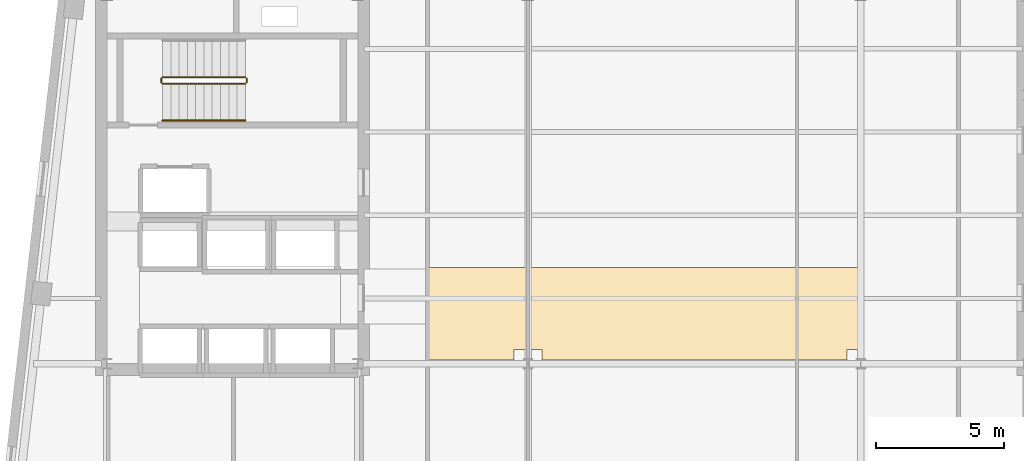
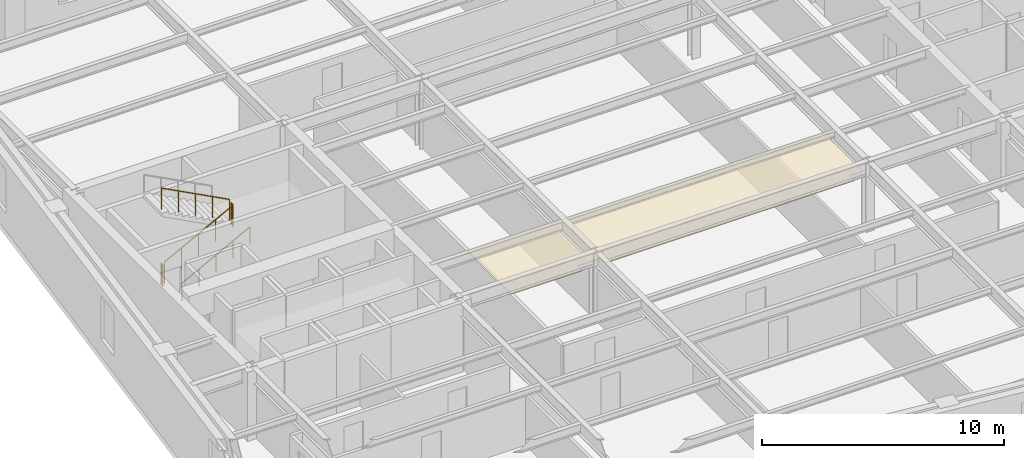
# One storey, part 10 of 12: 5 railings, 1 covering.
"""IFC4 building model written with IfcOpenShell, lengths in metres."""

from ifc_helpers import new_model, si_unit, direction, frame, origin, origin_2d, place, context, subcontext, project, spatial, polyline, circle, outline, extrude, material, layer, layer_set, type_object, element, save


model = new_model("IFC4")

# Units and contexts
model_context = context("Model", 3, precision=1e-05, world=origin(), true_north=direction((0.0, 1.0)))
body_context = subcontext(model_context, "Body", "Model", "MODEL_VIEW")
ifc_project = project(units=[si_unit("LENGTHUNIT", "METRE"), si_unit("AREAUNIT", "SQUARE_METRE"), si_unit("VOLUMEUNIT", "CUBIC_METRE"), si_unit("PLANEANGLEUNIT", "RADIAN"), si_unit("MASSUNIT", "GRAM", prefix="KILO")], contexts=[model_context])

# Site, building, storey
site_placement = place(None, origin())
site = spatial("IfcSite", under=ifc_project, at=site_placement, CompositionType="ELEMENT")
building_placement = place(site_placement, origin())
building = spatial("IfcBuilding", under=site, at=building_placement, Name="Kolvaren Arena Tower", CompositionType="ELEMENT")
storey_placement = place(building_placement, frame((0.0, 0.0, 220.949951171875)))
storey = spatial("IfcBuildingStorey", under=building, at=storey_placement, Name="L53", CompositionType="ELEMENT", Elevation=220.949951171875)

# Covering
ifc_material_1 = material(Name="Mineral fibre acoustic ceiling tile", Category="gypsum")
ifc_layer = layer(ifc_material_1, 0.02490234375)
ifc_layer_set = layer_set([ifc_layer], Name="Mineral fibre acoustic ceiling tile")
covering_type = type_object("IfcCoveringType", Name="CEIL-ACT-1", PredefinedType="CEILING", material=ifc_layer_set)
covering_placement = place(storey_placement, frame((0.0, 0.0, 2.52001953125)))
element("IfcCovering", 1, at=covering_placement, inside=storey, type_object=covering_type, Name="Suspended Ceiling (L53)", PredefinedType="CEILING", context=body_context, shape_type="SweptSolid", body=[
    extrude(outline(polyline([(27.050048828125, 19.60009765625), (27.050048828125, 23.199951171875), (44.10009765625, 23.199951171875), (44.10009765625, 20.0), (43.449951171875, 20.0), (43.449951171875, 19.60009765625), (31.550048828125, 19.60009765625), (31.550048828125, 20.0), (30.449951171875, 20.0), (30.449951171875, 19.60009765625), (27.050048828125, 19.60009765625)])), origin(), (0.0, 0.0, 1.0), 0.025146484375),
])

# Railings
ifc_material_2 = material(Name="Painted galvanized steel", Category="steel")
railing_type_1 = type_object("IfcRailingType", Name="GUARD-ST-110", PredefinedType="GUARDRAIL", material=ifc_material_2)
railing_1_placement = place(storey_placement, frame((16.719970703125, 30.389892578125, 0.17041015625)))
element("IfcRailing", 2, at=railing_1_placement, inside=storey, type_object=railing_type_1, Name="L53 ST-W1 stair guard 1", PredefinedType="GUARDRAIL", context=body_context, shape_type="SweptSolid", body=[
    extrude(circle(Radius=0.02392578125, at=origin_2d()), frame((0.0, 0.0, 1.076171875), z_axis=(0.884993431791, 0.0, 0.465603506952), x_axis=(0.0, 1.0, 0.0)), (0.0, 0.0, 1.0), 3.6611328125),
    extrude(circle(Radius=0.02099609375, at=origin_2d()), origin(), (0.0, 0.0, 1.0), 1.052001953125),
    extrude(circle(Radius=0.02099609375, at=origin_2d()), frame((0.81005859375, 0.0, 0.42626953125)), (0.0, 0.0, 1.0), 1.052001953125),
    extrude(circle(Radius=0.02099609375, at=origin_2d()), frame((1.6201171875, 0.0, 0.852294921875)), (0.0, 0.0, 1.0), 1.052001953125),
    extrude(circle(Radius=0.02099609375, at=origin_2d()), frame((2.429931640625, 0.0, 1.2783203125)), (0.0, 0.0, 1.0), 1.052001953125),
    extrude(circle(Radius=0.02099609375, at=origin_2d()), frame((3.239990234375, 0.0, 1.70458984375)), (0.0, 0.0, 1.0), 1.052001953125),
])
railing_2_placement = place(storey_placement, frame((20.010009765625, 30.43994140625, 1.875)))
element("IfcRailing", 3, at=railing_2_placement, inside=storey, type_object=railing_type_1, Name="L53 ST-W1 stair guard 2", PredefinedType="GUARDRAIL", context=body_context, shape_type="SweptSolid", body=[
    extrude(circle(Radius=0.02392578125, at=origin_2d()), frame((0.0, 0.0, 1.076171875), z_axis=(0.0, 1.0, 0.0), x_axis=(-1.0, 0.0, 0.0)), (0.0, 0.0, 1.0), 0.150146484375),
    extrude(circle(Radius=0.02099609375, at=origin_2d()), origin(), (0.0, 0.0, 1.0), 1.052001953125),
    extrude(circle(Radius=0.02099609375, at=origin_2d()), frame((0.0, 0.150146484375, 0.0)), (0.0, 0.0, 1.0), 1.052001953125),
])
railing_3_placement = place(storey_placement, frame((19.9599609375, 30.639892578125, 2.04541015625)))
element("IfcRailing", 4, at=railing_3_placement, inside=storey, type_object=railing_type_1, Name="L53 ST-W1 stair guard 3", PredefinedType="GUARDRAIL", context=body_context, shape_type="SweptSolid", body=[
    extrude(circle(Radius=0.02392578125, at=origin_2d()), frame((0.0, 0.0, 1.076171875), z_axis=(-0.884993431791, 0.0, 0.465603506952), x_axis=(0.0, -1.0, 0.0)), (0.0, 0.0, 1.0), 3.6611328125),
    extrude(circle(Radius=0.02099609375, at=origin_2d()), origin(), (0.0, 0.0, 1.0), 1.052001953125),
    extrude(circle(Radius=0.02099609375, at=origin_2d()), frame((-0.81005859375, 0.0, 0.42626953125)), (0.0, 0.0, 1.0), 1.052001953125),
    extrude(circle(Radius=0.02099609375, at=origin_2d()), frame((-1.6201171875, 0.0, 0.852294921875)), (0.0, 0.0, 1.0), 1.052001953125),
    extrude(circle(Radius=0.02099609375, at=origin_2d()), frame((-2.429931640625, 0.0, 1.2783203125)), (0.0, 0.0, 1.0), 1.052001953125),
    extrude(circle(Radius=0.02099609375, at=origin_2d()), frame((-3.239990234375, 0.0, 1.70458984375)), (0.0, 0.0, 1.0), 1.052001953125),
])
railing_4_placement = place(storey_placement, frame((16.669921875, 30.43994140625, 0.0)))
element("IfcRailing", 5, at=railing_4_placement, inside=storey, type_object=railing_type_1, Name="L53 ST-W1 stair guard 4", PredefinedType="GUARDRAIL", context=body_context, shape_type="SweptSolid", body=[
    extrude(circle(Radius=0.02392578125, at=origin_2d()), frame((0.0, 0.0, 1.076171875), z_axis=(0.0, 1.0, 0.0), x_axis=(-1.0, 0.0, 0.0)), (0.0, 0.0, 1.0), 0.150146484375),
    extrude(circle(Radius=0.02099609375, at=origin_2d()), origin(), (0.0, 0.0, 1.0), 1.052001953125),
    extrude(circle(Radius=0.02099609375, at=origin_2d()), frame((0.0, 0.150146484375, 0.0)), (0.0, 0.0, 1.0), 1.052001953125),
])
ifc_material_3 = material(Name="Brushed stainless steel handrail", Category="steel")
railing_type_2 = type_object("IfcRailingType", Name="HRAIL-900", PredefinedType="HANDRAIL", material=ifc_material_3)
railing_5_placement = place(storey_placement, frame((16.719970703125, 28.949951171875, 0.17041015625)))
element("IfcRailing", 6, at=railing_5_placement, inside=storey, type_object=railing_type_2, Name="L53 ST-W1 stair handrail 1", PredefinedType="HANDRAIL", context=body_context, shape_type="SweptSolid", body=[
    extrude(circle(Radius=0.02392578125, at=origin_2d()), frame((0.0, 0.0, 0.8759765625), z_axis=(0.884993431791, 0.0, 0.465603506952), x_axis=(0.0, 1.0, 0.0)), (0.0, 0.0, 1.0), 3.6611328125),
    extrude(circle(Radius=0.02099609375, at=origin_2d()), origin(), (0.0, 0.0, 1.0), 0.851806640625),
    extrude(circle(Radius=0.02099609375, at=origin_2d()), frame((0.81005859375, 0.0, 0.42626953125)), (0.0, 0.0, 1.0), 0.851806640625),
    extrude(circle(Radius=0.02099609375, at=origin_2d()), frame((1.6201171875, 0.0, 0.852294921875)), (0.0, 0.0, 1.0), 0.851806640625),
    extrude(circle(Radius=0.02099609375, at=origin_2d()), frame((2.429931640625, 0.0, 1.2783203125)), (0.0, 0.0, 1.0), 0.851806640625),
    extrude(circle(Radius=0.02099609375, at=origin_2d()), frame((3.239990234375, 0.0, 1.70458984375)), (0.0, 0.0, 1.0), 0.851806640625),
])

save(model, "model.ifc")
